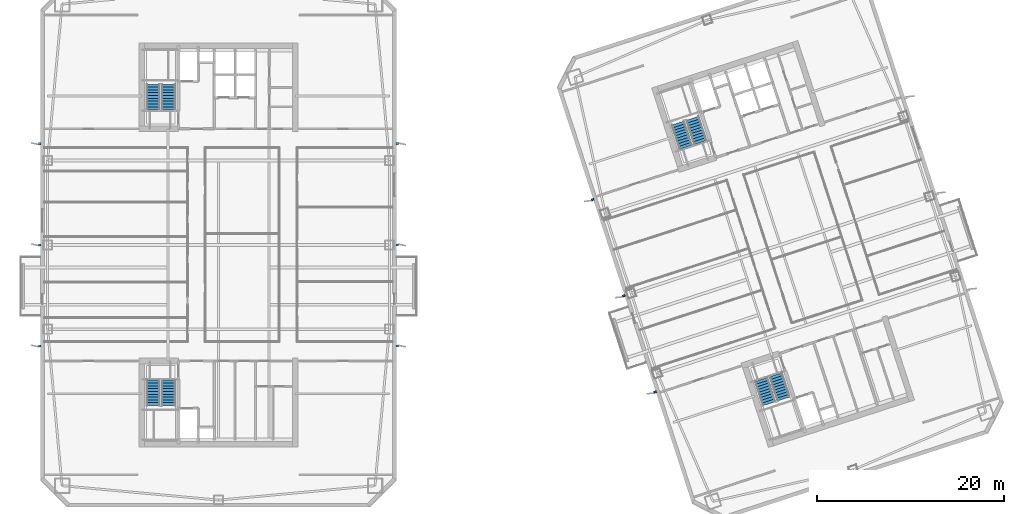
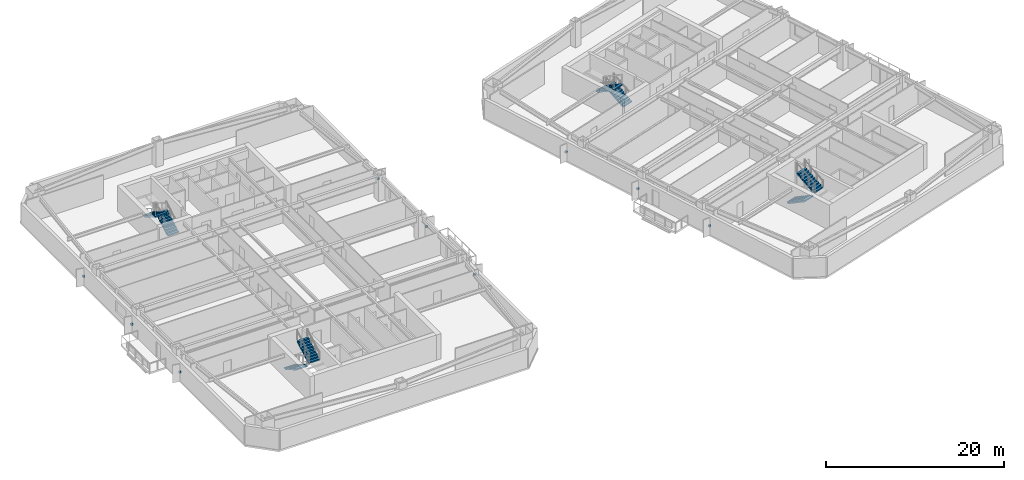
# One storey, part 10 of 16: 9 discrete accessories, 8 stair flights, 4 elements without a shape of their own.
"""IFC4 building model written with IfcOpenShell, lengths in metres."""

from ifc_helpers import new_model, si_unit, direction, frame, origin, origin_2d, place, context, subcontext, project, spatial, polyline, rectangle, outline, extrude, material, type_object, element, aggregate, save


model = new_model("IFC4")

# Units and contexts
model_context = context("Model", 3, precision=1e-05, world=origin(), true_north=direction((0.0, 1.0)))
body_context = subcontext(model_context, "Body", "Model", "MODEL_VIEW")
ifc_project = project(units=[si_unit("LENGTHUNIT", "METRE"), si_unit("AREAUNIT", "SQUARE_METRE"), si_unit("VOLUMEUNIT", "CUBIC_METRE"), si_unit("PLANEANGLEUNIT", "RADIAN"), si_unit("MASSUNIT", "GRAM", prefix="KILO")], contexts=[model_context])

# Site, building, storey
site_placement = place(None, origin())
site = spatial("IfcSite", under=ifc_project, at=site_placement, CompositionType="ELEMENT")
building_placement = place(site_placement, origin())
building = spatial("IfcBuilding", under=site, at=building_placement, Name="Qiaolan Cultural Towers", CompositionType="ELEMENT")
storey_placement = place(building_placement, frame((0.0, 0.0, 110.39990234375)))
storey = spatial("IfcBuildingStorey", under=building, at=storey_placement, Name="L28", CompositionType="ELEMENT", Elevation=110.39990234375)

# Stair, stair flights
ifc_material_1 = material(Name="Concrete C45", Category="concrete")
stair_type = type_object("IfcStairType", Name="STR-CORE-1500", PredefinedType="HALF_TURN_STAIR", material=ifc_material_1)
stair_1_placement = place(storey_placement, origin())
stair_1 = element("IfcStair", 1, at=stair_1_placement, inside=storey, type_object=stair_type, Name="L28 Smokeproof Exit Stair ST-W1", PredefinedType="HALF_TURN_STAIR")
ifc_material_2 = material(Name="Concrete C45", Category="concrete")
stair_flight_type = type_object("IfcStairFlightType", Name="STR-CORE-1500-FL", PredefinedType="STRAIGHT", material=ifc_material_2)
stair_flight_1_placement = place(storey_placement, frame((23.02001953125, 19.550048828125, 0.0), z_axis=(0.0, 0.0, 1.0), x_axis=(0.0, -1.0, 0.0)))
stair_flight_1 = element("IfcStairFlight", 2, at=stair_flight_1_placement, type_object=stair_flight_type, Name="ST-W1 flight 1", NumberOfRisers=10, NumberOfTreads=9, PredefinedType="STRAIGHT", RiserHeight=0.1725, TreadLength=0.3, context=body_context, shape_type="SweptSolid", body=[
    extrude(outline(polyline([(0.0, 0.0), (0.0, 0.172607421875), (0.300048828125, 0.172607421875), (0.300048828125, 0.344970703125), (0.60009765625, 0.344970703125), (0.60009765625, 0.517578125), (0.89990234375, 0.517578125), (0.89990234375, 0.68994140625), (1.199951171875, 0.68994140625), (1.199951171875, 0.862548828125), (1.5, 0.862548828125), (1.5, 1.034912109375), (1.800048828125, 1.034912109375), (1.800048828125, 1.20751953125), (2.10009765625, 1.20751953125), (2.10009765625, 1.3798828125), (2.39990234375, 1.3798828125), (2.39990234375, 1.552490234375), (2.699951171875, 1.552490234375), (2.699951171875, 1.72509765625), (2.699951171875, 1.379638671875), (0.30078125, 0.0), (0.0, 0.0)])), frame((0.0, 0.719970703125, 0.0), z_axis=(0.0, -1.0, 0.0), x_axis=(1.0, 0.0, 0.0)), (0.0, 0.0, 1.0), 1.43994140625),
])
stair_flight_2_placement = place(storey_placement, frame((24.659912109375, 16.85009765625, 1.72509765625), z_axis=(0.0, 0.0, 1.0), x_axis=(0.0, 1.0, 0.0)))
stair_flight_2 = element("IfcStairFlight", 3, at=stair_flight_2_placement, type_object=stair_flight_type, Name="ST-W1 flight 2", NumberOfRisers=10, NumberOfTreads=9, PredefinedType="STRAIGHT", RiserHeight=0.1725, TreadLength=0.3, context=body_context, shape_type="SweptSolid", body=[
    extrude(outline(polyline([(0.0, 0.0), (0.0, 0.172607421875), (0.300048828125, 0.172607421875), (0.300048828125, 0.344970703125), (0.60009765625, 0.344970703125), (0.60009765625, 0.517578125), (0.89990234375, 0.517578125), (0.89990234375, 0.68994140625), (1.199951171875, 0.68994140625), (1.199951171875, 0.862548828125), (1.5, 0.862548828125), (1.5, 1.034912109375), (1.800048828125, 1.034912109375), (1.800048828125, 1.20751953125), (2.10009765625, 1.20751953125), (2.10009765625, 1.3798828125), (2.39990234375, 1.3798828125), (2.39990234375, 1.552490234375), (2.699951171875, 1.552490234375), (2.699951171875, 1.72509765625), (2.699951171875, 1.379638671875), (0.30078125, 0.0), (0.0, 0.0)])), frame((0.0, 0.719970703125, 0.0), z_axis=(0.0, -1.0, 0.0), x_axis=(1.0, 0.0, 0.0)), (0.0, 0.0, 1.0), 1.43994140625),
])
aggregate(stair_1, [stair_flight_1, stair_flight_2])

stair_2_placement = place(storey_placement, origin())
stair_2 = element("IfcStair", 4, at=stair_2_placement, inside=storey, type_object=stair_type, Name="L28 Smokeproof Exit Stair ST-W2", PredefinedType="HALF_TURN_STAIR")
stair_flight_3_placement = place(storey_placement, frame((24.659912109375, 48.449951171875, 0.0), z_axis=(0.0, 0.0, 1.0), x_axis=(0.0, 1.0, 0.0)))
stair_flight_3 = element("IfcStairFlight", 5, at=stair_flight_3_placement, type_object=stair_flight_type, Name="ST-W2 flight 1", NumberOfRisers=10, NumberOfTreads=9, PredefinedType="STRAIGHT", RiserHeight=0.1725, TreadLength=0.3, context=body_context, shape_type="SweptSolid", body=[
    extrude(outline(polyline([(0.0, 0.0), (0.0, 0.172607421875), (0.300048828125, 0.172607421875), (0.300048828125, 0.344970703125), (0.60009765625, 0.344970703125), (0.60009765625, 0.517578125), (0.89990234375, 0.517578125), (0.89990234375, 0.68994140625), (1.199951171875, 0.68994140625), (1.199951171875, 0.862548828125), (1.5, 0.862548828125), (1.5, 1.034912109375), (1.800048828125, 1.034912109375), (1.800048828125, 1.20751953125), (2.10009765625, 1.20751953125), (2.10009765625, 1.3798828125), (2.39990234375, 1.3798828125), (2.39990234375, 1.552490234375), (2.699951171875, 1.552490234375), (2.699951171875, 1.72509765625), (2.699951171875, 1.379638671875), (0.30078125, 0.0), (0.0, 0.0)])), frame((0.0, 0.719970703125, 0.0), z_axis=(0.0, -1.0, 0.0), x_axis=(1.0, 0.0, 0.0)), (0.0, 0.0, 1.0), 1.43994140625),
])
stair_flight_4_placement = place(storey_placement, frame((23.02001953125, 51.14990234375, 1.72509765625), z_axis=(0.0, 0.0, 1.0), x_axis=(0.0, -1.0, 0.0)))
stair_flight_4 = element("IfcStairFlight", 6, at=stair_flight_4_placement, type_object=stair_flight_type, Name="ST-W2 flight 2", NumberOfRisers=10, NumberOfTreads=9, PredefinedType="STRAIGHT", RiserHeight=0.1725, TreadLength=0.3, context=body_context, shape_type="SweptSolid", body=[
    extrude(outline(polyline([(0.0, 0.0), (0.0, 0.172607421875), (0.300048828125, 0.172607421875), (0.300048828125, 0.344970703125), (0.60009765625, 0.344970703125), (0.60009765625, 0.517578125), (0.89990234375, 0.517578125), (0.89990234375, 0.68994140625), (1.199951171875, 0.68994140625), (1.199951171875, 0.862548828125), (1.5, 0.862548828125), (1.5, 1.034912109375), (1.800048828125, 1.034912109375), (1.800048828125, 1.20751953125), (2.10009765625, 1.20751953125), (2.10009765625, 1.3798828125), (2.39990234375, 1.3798828125), (2.39990234375, 1.552490234375), (2.699951171875, 1.552490234375), (2.699951171875, 1.72509765625), (2.699951171875, 1.379638671875), (0.30078125, 0.0), (0.0, 0.0)])), frame((0.0, 0.719970703125, 0.0), z_axis=(0.0, -1.0, 0.0), x_axis=(1.0, 0.0, 0.0)), (0.0, 0.0, 1.0), 1.43994140625),
])
aggregate(stair_2, [stair_flight_3, stair_flight_4])

stair_3_placement = place(storey_placement, origin())
stair_3 = element("IfcStair", 7, at=stair_3_placement, inside=storey, type_object=stair_type, Name="L28 Smokeproof Exit Stair ST-E1", PredefinedType="HALF_TURN_STAIR")
stair_flight_5_placement = place(storey_placement, frame((87.96484375, 19.6171875, 0.0), z_axis=(0.0, 0.0, 1.0), x_axis=(0.309016994375, -0.951056516295, 0.0)))
stair_flight_5 = element("IfcStairFlight", 8, at=stair_flight_5_placement, type_object=stair_flight_type, Name="ST-E1 flight 1", NumberOfRisers=10, NumberOfTreads=9, PredefinedType="STRAIGHT", RiserHeight=0.1725, TreadLength=0.3, context=body_context, shape_type="SweptSolid", body=[
    extrude(outline(polyline([(0.0, 0.0), (0.0, 0.172607421875), (0.300048828125, 0.172607421875), (0.300048828125, 0.344970703125), (0.60009765625, 0.344970703125), (0.60009765625, 0.517578125), (0.89990234375, 0.517578125), (0.89990234375, 0.68994140625), (1.199951171875, 0.68994140625), (1.199951171875, 0.862548828125), (1.5, 0.862548828125), (1.5, 1.034912109375), (1.800048828125, 1.034912109375), (1.800048828125, 1.20751953125), (2.10009765625, 1.20751953125), (2.10009765625, 1.3798828125), (2.39990234375, 1.3798828125), (2.39990234375, 1.552490234375), (2.699951171875, 1.552490234375), (2.699951171875, 1.72509765625), (2.699951171875, 1.379638671875), (0.30078125, 0.0), (0.0, 0.0)])), frame((0.0, 0.719970703125, 0.0), z_axis=(0.0, -1.0, 0.0), x_axis=(1.0, 0.0, 0.0)), (0.0, 0.0, 1.0), 1.43994140625),
])
stair_flight_6_placement = place(storey_placement, frame((90.359130859375, 17.55615234375, 1.72509765625), z_axis=(0.0, 0.0, 1.0), x_axis=(-0.309016994375, 0.951056516295, 0.0)))
stair_flight_6 = element("IfcStairFlight", 9, at=stair_flight_6_placement, type_object=stair_flight_type, Name="ST-E1 flight 2", NumberOfRisers=10, NumberOfTreads=9, PredefinedType="STRAIGHT", RiserHeight=0.1725, TreadLength=0.3, context=body_context, shape_type="SweptSolid", body=[
    extrude(outline(polyline([(0.0, 0.0), (0.0, 0.172607421875), (0.300048828125, 0.172607421875), (0.300048828125, 0.344970703125), (0.60009765625, 0.344970703125), (0.60009765625, 0.517578125), (0.89990234375, 0.517578125), (0.89990234375, 0.68994140625), (1.199951171875, 0.68994140625), (1.199951171875, 0.862548828125), (1.5, 0.862548828125), (1.5, 1.034912109375), (1.800048828125, 1.034912109375), (1.800048828125, 1.20751953125), (2.10009765625, 1.20751953125), (2.10009765625, 1.3798828125), (2.39990234375, 1.3798828125), (2.39990234375, 1.552490234375), (2.699951171875, 1.552490234375), (2.699951171875, 1.72509765625), (2.699951171875, 1.379638671875), (0.30078125, 0.0), (0.0, 0.0)])), frame((0.0, 0.719970703125, 0.0), z_axis=(0.0, -1.0, 0.0), x_axis=(1.0, 0.0, 0.0)), (0.0, 0.0, 1.0), 1.43994140625),
])
aggregate(stair_3, [stair_flight_5, stair_flight_6])

stair_4_placement = place(storey_placement, origin())
stair_4 = element("IfcStair", 10, at=stair_4_placement, inside=storey, type_object=stair_type, Name="L28 Smokeproof Exit Stair ST-E2", PredefinedType="HALF_TURN_STAIR")
stair_flight_7_placement = place(storey_placement, frame((81.459228515625, 44.946533203125, 0.0), z_axis=(0.0, 0.0, 1.0), x_axis=(-0.309016994375, 0.951056516295, 0.0)))
stair_flight_7 = element("IfcStairFlight", 11, at=stair_flight_7_placement, type_object=stair_flight_type, Name="ST-E2 flight 1", NumberOfRisers=10, NumberOfTreads=9, PredefinedType="STRAIGHT", RiserHeight=0.1725, TreadLength=0.3, context=body_context, shape_type="SweptSolid", body=[
    extrude(outline(polyline([(0.0, 0.0), (0.0, 0.172607421875), (0.300048828125, 0.172607421875), (0.300048828125, 0.344970703125), (0.60009765625, 0.344970703125), (0.60009765625, 0.517578125), (0.89990234375, 0.517578125), (0.89990234375, 0.68994140625), (1.199951171875, 0.68994140625), (1.199951171875, 0.862548828125), (1.5, 0.862548828125), (1.5, 1.034912109375), (1.800048828125, 1.034912109375), (1.800048828125, 1.20751953125), (2.10009765625, 1.20751953125), (2.10009765625, 1.3798828125), (2.39990234375, 1.3798828125), (2.39990234375, 1.552490234375), (2.699951171875, 1.552490234375), (2.699951171875, 1.72509765625), (2.699951171875, 1.379638671875), (0.30078125, 0.0), (0.0, 0.0)])), frame((0.0, 0.719970703125, 0.0), z_axis=(0.0, -1.0, 0.0), x_axis=(1.0, 0.0, 0.0)), (0.0, 0.0, 1.0), 1.43994140625),
])
stair_flight_8_placement = place(storey_placement, frame((79.065185546875, 47.007568359375, 1.72509765625), z_axis=(0.0, 0.0, 1.0), x_axis=(0.309016994375, -0.951056516295, 0.0)))
stair_flight_8 = element("IfcStairFlight", 12, at=stair_flight_8_placement, type_object=stair_flight_type, Name="ST-E2 flight 2", NumberOfRisers=10, NumberOfTreads=9, PredefinedType="STRAIGHT", RiserHeight=0.1725, TreadLength=0.3, context=body_context, shape_type="SweptSolid", body=[
    extrude(outline(polyline([(0.0, 0.0), (0.0, 0.172607421875), (0.300048828125, 0.172607421875), (0.300048828125, 0.344970703125), (0.60009765625, 0.344970703125), (0.60009765625, 0.517578125), (0.89990234375, 0.517578125), (0.89990234375, 0.68994140625), (1.199951171875, 0.68994140625), (1.199951171875, 0.862548828125), (1.5, 0.862548828125), (1.5, 1.034912109375), (1.800048828125, 1.034912109375), (1.800048828125, 1.20751953125), (2.10009765625, 1.20751953125), (2.10009765625, 1.3798828125), (2.39990234375, 1.3798828125), (2.39990234375, 1.552490234375), (2.699951171875, 1.552490234375), (2.699951171875, 1.72509765625), (2.699951171875, 1.379638671875), (0.30078125, 0.0), (0.0, 0.0)])), frame((0.0, 0.719970703125, 0.0), z_axis=(0.0, -1.0, 0.0), x_axis=(1.0, 0.0, 0.0)), (0.0, 0.0, 1.0), 1.43994140625),
])
aggregate(stair_4, [stair_flight_7, stair_flight_8])

# Discrete accessories
ifc_material_3 = material(Name="Stainless Steel S31608 Facade Anchor Bracket", Category="steel")
discrete_accessory_type = type_object("IfcDiscreteAccessoryType", Name="ACC-BRK-SS", PredefinedType="BRACKET", material=ifc_material_3)
for number, where, z_axis, x_axis, name in (
    (13, (10.919921875, 23.199951171875, 1.18505859375), (0.0, 0.0, 1.0), (1.0, 0.0, 0.0), "L28 T1 Facade Fin Anchor Bracket W1"),
    (14, (10.919921875, 34.0, 1.18505859375), (0.0, 0.0, 1.0), (1.0, 0.0, 0.0), "L28 T1 Facade Fin Anchor Bracket W2"),
    (15, (10.919921875, 44.800048828125, 1.18505859375), (0.0, 0.0, 1.0), (1.0, 0.0, 0.0), "L28 T1 Facade Fin Anchor Bracket W3"),
    (16, (49.080078125, 23.199951171875, 1.18505859375), (0.0, 0.0, 1.0), (1.0, 0.0, 0.0), "L28 T1 Facade Fin Anchor Bracket E1"),
    (17, (49.080078125, 34.0, 1.18505859375), (0.0, 0.0, 1.0), (1.0, 0.0, 0.0), "L28 T1 Facade Fin Anchor Bracket E2"),
    (18, (49.080078125, 44.800048828125, 1.18505859375), (0.0, 0.0, 1.0), (1.0, 0.0, 0.0), "L28 T1 Facade Fin Anchor Bracket E3"),
    (19, (76.617919921875, 18.296142578125, 1.18505859375), (0.0, 0.0, 1.0), (0.951056516295, 0.309016994375, 0.0), "L28 T2 Facade Fin Anchor Bracket W1"),
    (20, (73.280517578125, 28.5673828125, 1.18505859375), (0.0, 0.0, 1.0), (0.951056516295, 0.309016994375, 0.0), "L28 T2 Facade Fin Anchor Bracket W2"),
    (21, (69.943115234375, 38.8388671875, 1.18505859375), (0.0, 0.0, 1.0), (0.951056516295, 0.309016994375, 0.0), "L28 T2 Facade Fin Anchor Bracket W3"),
):
    element("IfcDiscreteAccessory", number, at=place(storey_placement, frame(where, z_axis=z_axis, x_axis=x_axis)), inside=storey, type_object=discrete_accessory_type, Name=name, PredefinedType="BRACKET", context=body_context, shape_type="SweptSolid", body=[
        extrude(rectangle(XDim=0.280029296875, YDim=0.219970703125, at=origin_2d()), origin(), (0.0, 0.0, 1.0), 0.239990234375),
    ])

save(model, "model.ifc")
